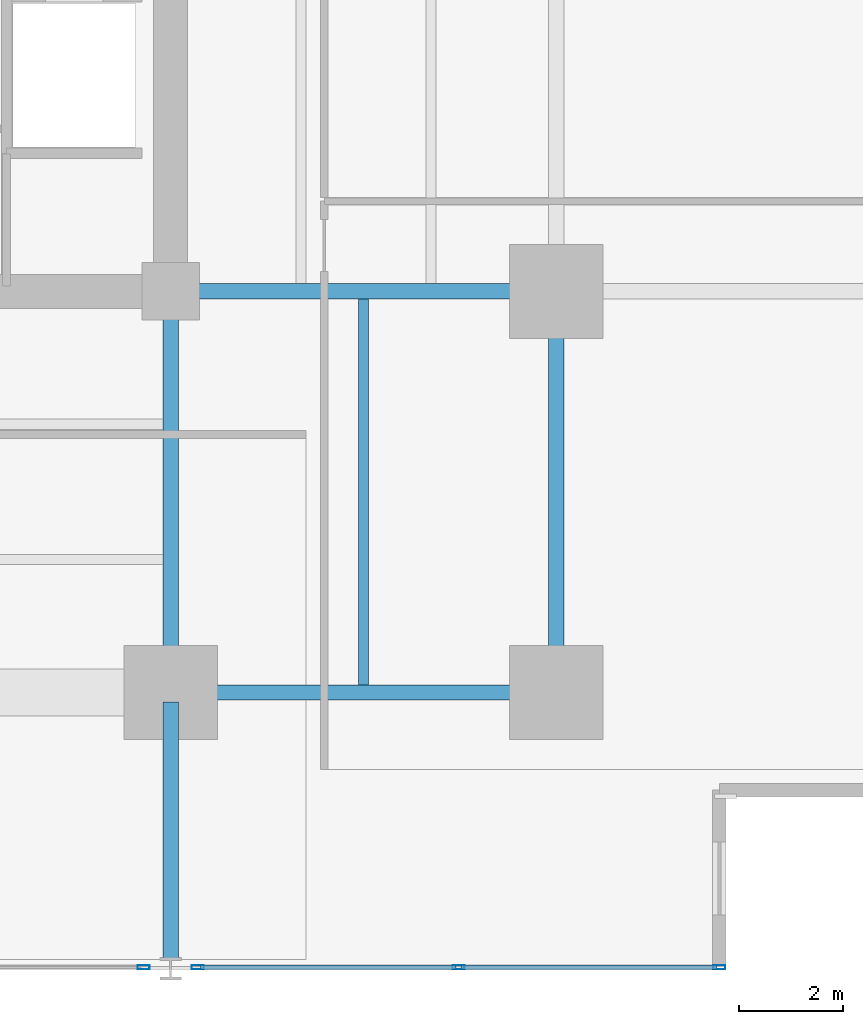
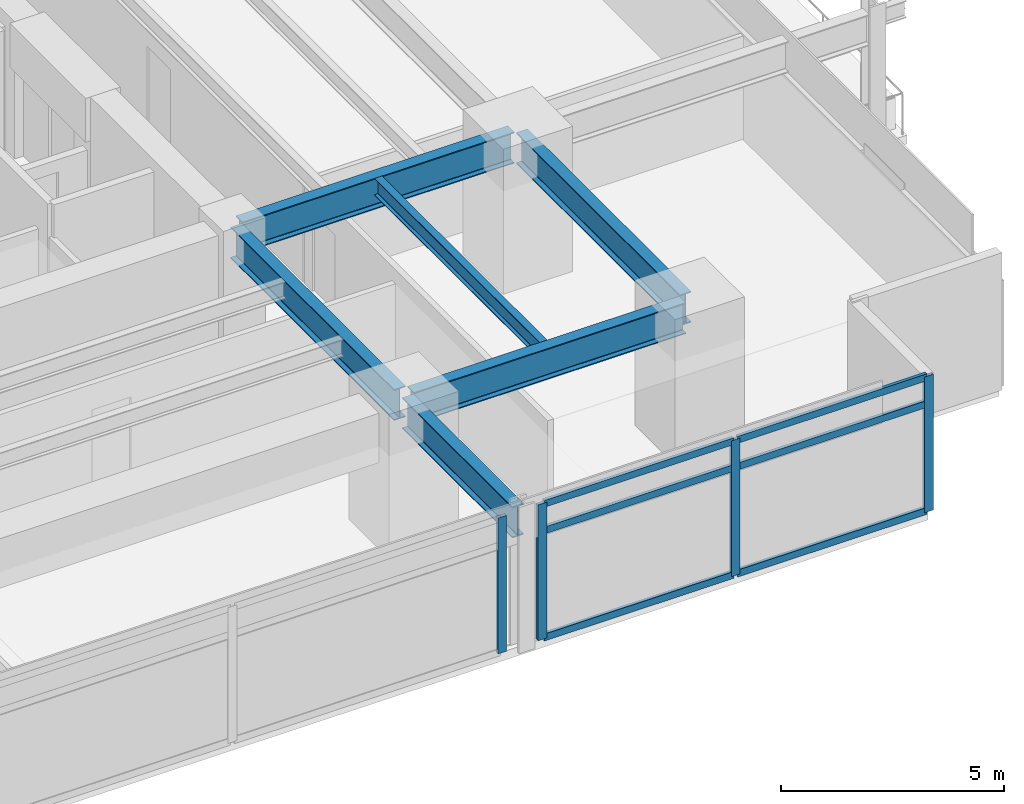
# One storey, part 9 of 22: 10 members, 6 beams, 2 elements without a shape of their own.
"""IFC4 building model written with IfcOpenShell, lengths in metres."""

from ifc_helpers import new_model, si_unit, direction, frame, origin, origin_2d, place, context, subcontext, project, spatial, hollow_rectangle, i_section, extrude, material, material_profile, profile_set, type_object, element, aggregate, save


model = new_model("IFC4")

# Units and contexts
model_context = context("Model", 3, precision=1e-05, world=origin(), true_north=direction((0.0, 1.0)))
body_context = subcontext(model_context, "Body", "Model", "MODEL_VIEW")
ifc_project = project(units=[si_unit("LENGTHUNIT", "METRE"), si_unit("AREAUNIT", "SQUARE_METRE"), si_unit("VOLUMEUNIT", "CUBIC_METRE"), si_unit("PLANEANGLEUNIT", "RADIAN"), si_unit("MASSUNIT", "GRAM", prefix="KILO")], contexts=[model_context])

# Site, building, storey
site_placement = place(None, origin())
site = spatial("IfcSite", under=ifc_project, at=site_placement, CompositionType="ELEMENT")
building_placement = place(site_placement, origin())
building = spatial("IfcBuilding", under=site, at=building_placement, Name="Kovane Verandah Tower", CompositionType="ELEMENT")
storey_placement = place(building_placement, frame((0.0, 0.0, 43.60009765625)))
storey = spatial("IfcBuildingStorey", under=building, at=storey_placement, Name="L09", CompositionType="ELEMENT", Elevation=43.60009765625)

# Beams
ifc_material_1 = material(Name="Steel S355", Category="steel")
ifc_material_profile_1 = material_profile(ifc_material_1, i_section(OverallWidth=0.293701171875, OverallDepth=0.850830078125, WebThickness=0.01611328125, FlangeThickness=0.02685546875, FilletRadius=0.017822265625, at=origin_2d()), Name="UB838x292x226")
ifc_profile_set_1 = profile_set([ifc_material_profile_1], Name="Steel S355")
beam_type_1 = type_object("IfcBeamType", Name="BM-UB838x226", PredefinedType="BEAM", material=ifc_profile_set_1)
beam_1_placement = place(storey_placement, frame((51.179931640625, 10.800048828125, 3.33447265625), z_axis=(1.0, 0.0, 0.0), x_axis=(0.0, 1.0, 0.0)))
element("IfcBeam", 1, at=beam_1_placement, inside=storey, type_object=beam_type_1, Name="L09 Primary Tower Girder G-RS3", PredefinedType="BEAM", context=body_context, shape_type="SweptSolid", body=[
    extrude(i_section(OverallWidth=0.293701171875, OverallDepth=0.850830078125, WebThickness=0.01611328125, FlangeThickness=0.02685546875, FilletRadius=0.017822265625, at=origin_2d()), origin(), (0.0, 0.0, 1.0), 7.0400390625),
])
beam_2_placement = place(storey_placement, frame((58.39990234375, 10.97998046875, 3.33447265625), z_axis=(0.0, 1.0, 0.0), x_axis=(-1.0, 0.0, 0.0)))
element("IfcBeam", 2, at=beam_2_placement, inside=storey, type_object=beam_type_1, Name="L09 Primary Tower Girder G-RE1", PredefinedType="BEAM", context=body_context, shape_type="SweptSolid", body=[
    extrude(i_section(OverallWidth=0.293701171875, OverallDepth=0.850830078125, WebThickness=0.01611328125, FlangeThickness=0.02685546875, FilletRadius=0.017822265625, at=origin_2d()), origin(), (0.0, 0.0, 1.0), 7.340087890625),
])
beam_3_placement = place(storey_placement, frame((51.179931640625, 18.5, 3.33447265625), z_axis=(1.0, 0.0, 0.0), x_axis=(0.0, 1.0, 0.0)))
element("IfcBeam", 3, at=beam_3_placement, inside=storey, type_object=beam_type_1, Name="L09 Primary Tower Girder G-E1", PredefinedType="BEAM", context=body_context, shape_type="SweptSolid", body=[
    extrude(i_section(OverallWidth=0.293701171875, OverallDepth=0.850830078125, WebThickness=0.01611328125, FlangeThickness=0.02685546875, FilletRadius=0.017822265625, at=origin_2d()), origin(), (0.0, 0.0, 1.0), 7.0400390625),
])
beam_4_placement = place(storey_placement, frame((51.0, 18.320068359375, 3.33447265625), z_axis=(0.0, -1.0, 0.0), x_axis=(1.0, 0.0, 0.0)))
element("IfcBeam", 4, at=beam_4_placement, inside=storey, type_object=beam_type_1, Name="L09 Primary Tower Girder G-S2", PredefinedType="BEAM", context=body_context, shape_type="SweptSolid", body=[
    extrude(i_section(OverallWidth=0.293701171875, OverallDepth=0.850830078125, WebThickness=0.01611328125, FlangeThickness=0.02685546875, FilletRadius=0.017822265625, at=origin_2d()), origin(), (0.0, 0.0, 1.0), 7.340087890625),
])
beam_5_placement = place(storey_placement, frame((51.0, 10.6201171875, 3.33447265625), z_axis=(0.0, -1.0, 0.0), x_axis=(1.0, 0.0, 0.0)))
element("IfcBeam", 5, at=beam_5_placement, inside=storey, type_object=beam_type_1, Name="L09 Primary Tower Girder G-VS2", PredefinedType="BEAM", context=body_context, shape_type="SweptSolid", body=[
    extrude(i_section(OverallWidth=0.293701171875, OverallDepth=0.850830078125, WebThickness=0.01611328125, FlangeThickness=0.02685546875, FilletRadius=0.017822265625, at=origin_2d()), origin(), (0.0, 0.0, 1.0), 4.940185546875),
])

# Curtain wall, member
ifc_material_2 = material(Name="Champagne Anodised Aluminium Frame with Low-E Clear Laminated Glass", Category="aluminium")
curtain_wall_type = type_object("IfcCurtainWallType", Name="CW-SYS-02-LOW", PredefinedType="NOTDEFINED", material=ifc_material_2)
curtain_wall_1_placement = place(storey_placement, origin())
curtain_wall_1 = element("IfcCurtainWall", 6, at=curtain_wall_1_placement, inside=storey, type_object=curtain_wall_type, Name="L09 S Unitised Curtain Wall-2", PredefinedType="NOTDEFINED")
ifc_material_3 = material(Name="Champagne Anodised Aluminium 6063-T6", Category="aluminium")
ifc_material_profile_2 = material_profile(ifc_material_3, hollow_rectangle(XDim=0.0849609375, YDim=0.22998046875, WallThickness=0.00390625, at=origin_2d()), Name="AL85x230x4")
ifc_profile_set_2 = profile_set([ifc_material_profile_2], Name="Champagne Anodised Aluminium 6063-T6")
member_type_1 = type_object("IfcMemberType", Name="CW-MUL-85x230", PredefinedType="MULLION", material=ifc_profile_set_2)
member_1_placement = place(storey_placement, frame((50.47998046875, 5.52685546875, 0.02001953125), z_axis=(0.0, 0.0, 1.0), x_axis=(0.0, -1.0, 0.0)))
member_1 = element("IfcMember", 7, at=member_1_placement, type_object=member_type_1, Name="L09 S Unitised Curtain Wall-2 Mullion 4", PredefinedType="MULLION", context=body_context, shape_type="SweptSolid", body=[
    extrude(hollow_rectangle(XDim=0.0849609375, YDim=0.22998046875, WallThickness=0.00390625, at=origin_2d()), origin(), (0.0, 0.0, 1.0), 3.719970703125),
])
aggregate(curtain_wall_1, [member_1])

# Curtain wall, members
curtain_wall_2_placement = place(storey_placement, origin())
curtain_wall_2 = element("IfcCurtainWall", 8, at=curtain_wall_2_placement, inside=storey, type_object=curtain_wall_type, Name="L09 S Unitised Curtain Wall-3", PredefinedType="NOTDEFINED")
member_2_placement = place(storey_placement, frame((51.52001953125, 5.52685546875, 0.02001953125), z_axis=(0.0, 0.0, 1.0), x_axis=(0.0, -1.0, 0.0)))
member_2 = element("IfcMember", 9, at=member_2_placement, type_object=member_type_1, Name="L09 S Unitised Curtain Wall-3 Mullion 1", PredefinedType="MULLION", context=body_context, shape_type="SweptSolid", body=[
    extrude(hollow_rectangle(XDim=0.0849609375, YDim=0.22998046875, WallThickness=0.00390625, at=origin_2d()), origin(), (0.0, 0.0, 1.0), 3.719970703125),
])
member_3_placement = place(storey_placement, frame((56.526611328125, 5.52685546875, 0.02001953125), z_axis=(0.0, 0.0, 1.0), x_axis=(0.0, -1.0, 0.0)))
member_3 = element("IfcMember", 10, at=member_3_placement, type_object=member_type_1, Name="L09 S Unitised Curtain Wall-3 Mullion 2", PredefinedType="MULLION", context=body_context, shape_type="SweptSolid", body=[
    extrude(hollow_rectangle(XDim=0.0849609375, YDim=0.22998046875, WallThickness=0.00390625, at=origin_2d()), origin(), (0.0, 0.0, 1.0), 3.719970703125),
])
member_4_placement = place(storey_placement, frame((61.532958984375, 5.52685546875, 0.02001953125), z_axis=(0.0, 0.0, 1.0), x_axis=(0.0, -1.0, 0.0)))
member_4 = element("IfcMember", 11, at=member_4_placement, type_object=member_type_1, Name="L09 S Unitised Curtain Wall-3 Mullion 3", PredefinedType="MULLION", context=body_context, shape_type="SweptSolid", body=[
    extrude(hollow_rectangle(XDim=0.0849609375, YDim=0.22998046875, WallThickness=0.00390625, at=origin_2d()), origin(), (0.0, 0.0, 1.0), 3.719970703125),
])
ifc_material_profile_3 = material_profile(ifc_material_3, hollow_rectangle(XDim=0.0849609375, YDim=0.18994140625, WallThickness=0.00390625, at=origin_2d()), Name="AL85x190x4")
ifc_profile_set_3 = profile_set([ifc_material_profile_3], Name="Champagne Anodised Aluminium 6063-T6")
member_type_2 = type_object("IfcMemberType", Name="CW-TRN-85x190", PredefinedType="USERDEFINED", material=ifc_profile_set_3)
member_5_placement = place(storey_placement, frame((51.570068359375, 5.52685546875, 0.0498046875), z_axis=(1.0, 0.0, 0.0), x_axis=(0.0, 1.0, 0.0)))
member_5 = element("IfcMember", 12, at=member_5_placement, type_object=member_type_2, Name="L09 S Unitised Curtain Wall-3 Transom TB Bay 1", ObjectType="TRANSOM", PredefinedType="USERDEFINED", context=body_context, shape_type="SweptSolid", body=[
    extrude(hollow_rectangle(XDim=0.0849609375, YDim=0.18994140625, WallThickness=0.00390625, at=origin_2d()), origin(), (0.0, 0.0, 1.0), 4.906494140625),
])
member_6_placement = place(storey_placement, frame((51.570068359375, 5.52685546875, 2.97998046875), z_axis=(1.0, 0.0, 0.0), x_axis=(0.0, 1.0, 0.0)))
member_6 = element("IfcMember", 13, at=member_6_placement, type_object=member_type_2, Name="L09 S Unitised Curtain Wall-3 Transom TM Bay 1", ObjectType="TRANSOM", PredefinedType="USERDEFINED", context=body_context, shape_type="SweptSolid", body=[
    extrude(hollow_rectangle(XDim=0.0849609375, YDim=0.18994140625, WallThickness=0.00390625, at=origin_2d()), origin(), (0.0, 0.0, 1.0), 4.906494140625),
])
member_7_placement = place(storey_placement, frame((51.570068359375, 5.52685546875, 3.7099609375), z_axis=(1.0, 0.0, 0.0), x_axis=(0.0, 1.0, 0.0)))
member_7 = element("IfcMember", 14, at=member_7_placement, type_object=member_type_2, Name="L09 S Unitised Curtain Wall-3 Transom TT Bay 1", ObjectType="TRANSOM", PredefinedType="USERDEFINED", context=body_context, shape_type="SweptSolid", body=[
    extrude(hollow_rectangle(XDim=0.0849609375, YDim=0.18994140625, WallThickness=0.00390625, at=origin_2d()), origin(), (0.0, 0.0, 1.0), 4.906494140625),
])
member_8_placement = place(storey_placement, frame((56.576416015625, 5.52685546875, 0.0498046875), z_axis=(1.0, 0.0, 0.0), x_axis=(0.0, 1.0, 0.0)))
member_8 = element("IfcMember", 15, at=member_8_placement, type_object=member_type_2, Name="L09 S Unitised Curtain Wall-3 Transom TB Bay 2", ObjectType="TRANSOM", PredefinedType="USERDEFINED", context=body_context, shape_type="SweptSolid", body=[
    extrude(hollow_rectangle(XDim=0.0849609375, YDim=0.18994140625, WallThickness=0.00390625, at=origin_2d()), origin(), (0.0, 0.0, 1.0), 4.906494140625),
])
member_9_placement = place(storey_placement, frame((56.576416015625, 5.52685546875, 2.97998046875), z_axis=(1.0, 0.0, 0.0), x_axis=(0.0, 1.0, 0.0)))
member_9 = element("IfcMember", 16, at=member_9_placement, type_object=member_type_2, Name="L09 S Unitised Curtain Wall-3 Transom TM Bay 2", ObjectType="TRANSOM", PredefinedType="USERDEFINED", context=body_context, shape_type="SweptSolid", body=[
    extrude(hollow_rectangle(XDim=0.0849609375, YDim=0.18994140625, WallThickness=0.00390625, at=origin_2d()), origin(), (0.0, 0.0, 1.0), 4.906494140625),
])
member_10_placement = place(storey_placement, frame((56.576416015625, 5.52685546875, 3.7099609375), z_axis=(1.0, 0.0, 0.0), x_axis=(0.0, 1.0, 0.0)))
member_10 = element("IfcMember", 17, at=member_10_placement, type_object=member_type_2, Name="L09 S Unitised Curtain Wall-3 Transom TT Bay 2", ObjectType="TRANSOM", PredefinedType="USERDEFINED", context=body_context, shape_type="SweptSolid", body=[
    extrude(hollow_rectangle(XDim=0.0849609375, YDim=0.18994140625, WallThickness=0.00390625, at=origin_2d()), origin(), (0.0, 0.0, 1.0), 4.906494140625),
])
aggregate(curtain_wall_2, [member_2, member_3, member_4, member_5, member_6, member_7, member_8, member_9, member_10])

# Beam
ifc_material_profile_4 = material_profile(ifc_material_1, i_section(OverallWidth=0.19287109375, OverallDepth=0.46728515625, WebThickness=0.011474609375, FlangeThickness=0.01953125, FilletRadius=0.01025390625, at=origin_2d()), Name="UB457x191x98")
ifc_profile_set_4 = profile_set([ifc_material_profile_4], Name="Steel S355")
beam_type_2 = type_object("IfcBeamType", Name="JST-UB457x98", PredefinedType="JOIST", material=ifc_profile_set_4)
beam_6_placement = place(storey_placement, frame((54.699951171875, 10.94482421875, 3.5263671875), z_axis=(0.0, 1.0, 0.0), x_axis=(-1.0, 0.0, 0.0)))
element("IfcBeam", 18, at=beam_6_placement, inside=storey, type_object=beam_type_2, Name="L09 Secondary Composite Joist J-SE1", PredefinedType="JOIST", context=body_context, shape_type="SweptSolid", body=[
    extrude(i_section(OverallWidth=0.19287109375, OverallDepth=0.46728515625, WebThickness=0.011474609375, FlangeThickness=0.01953125, FilletRadius=0.01025390625, at=origin_2d()), origin(), (0.0, 0.0, 1.0), 7.41015625),
])

save(model, "model.ifc")
